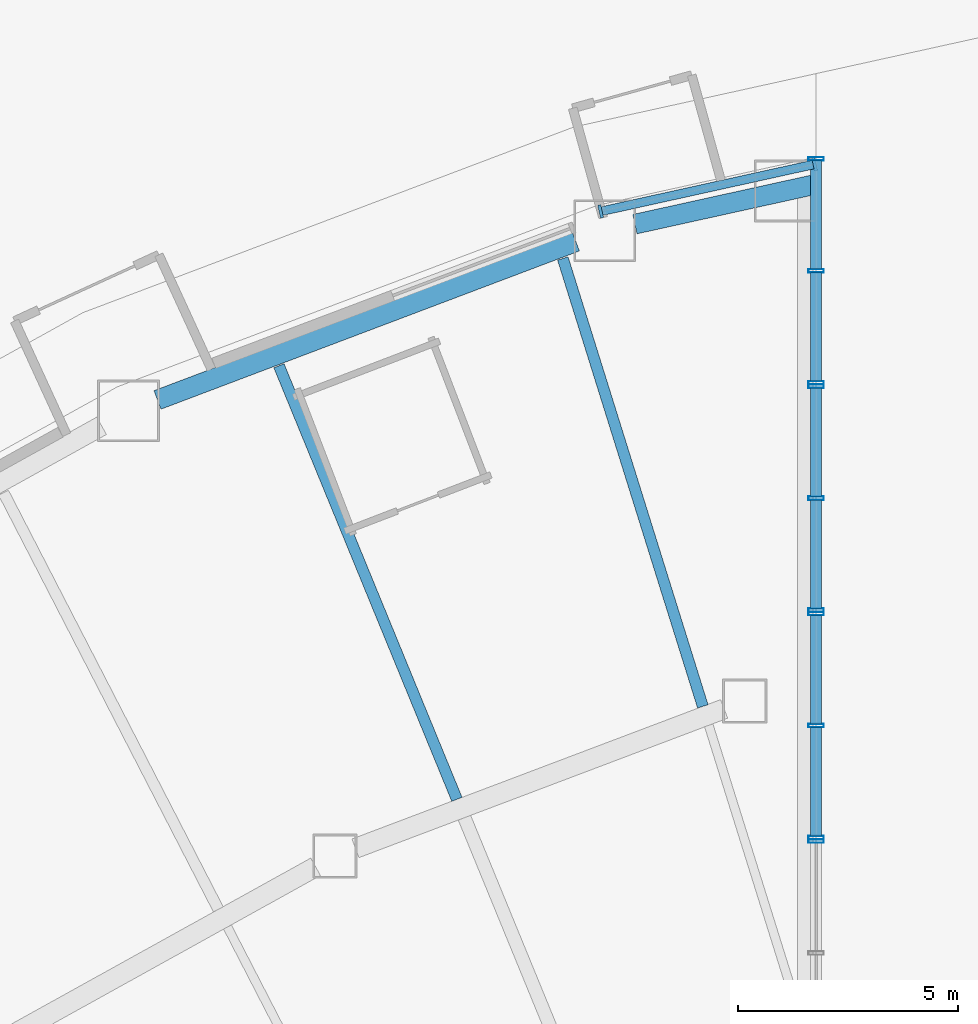
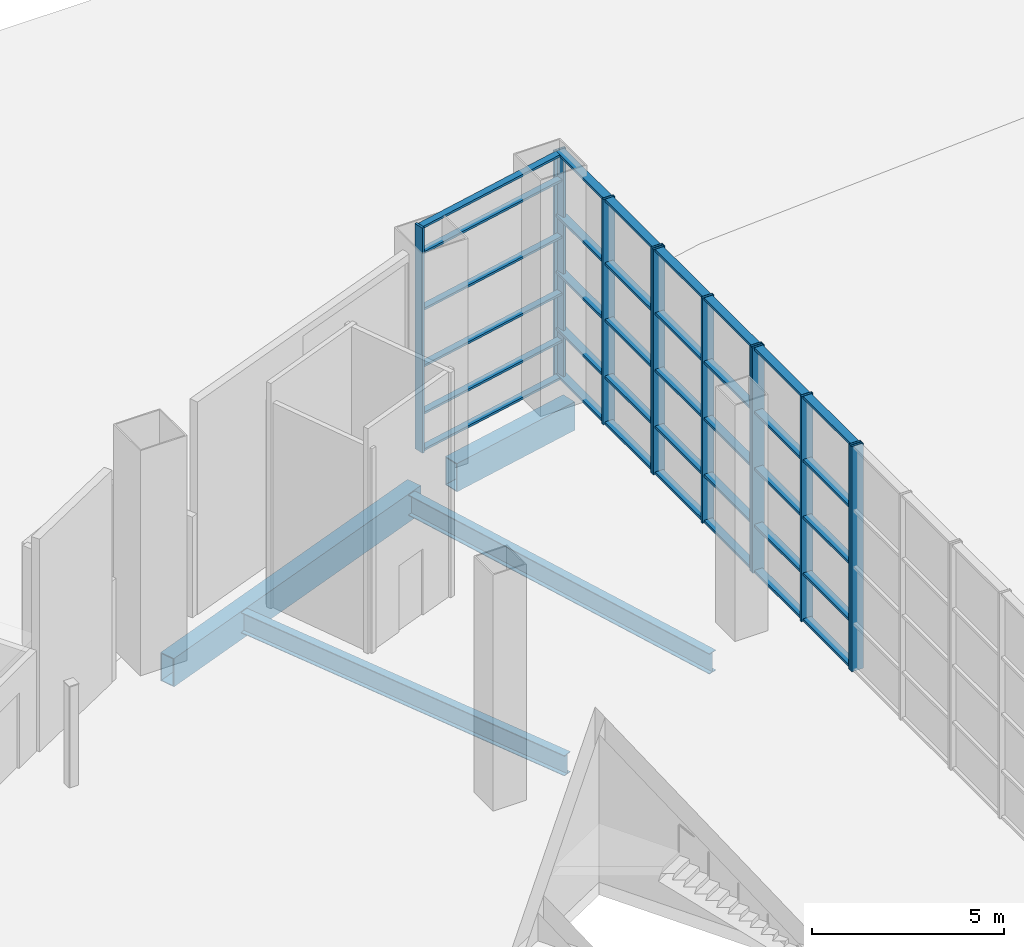
# One storey, part 18 of 45: 48 members, 4 beams, 5 elements without a shape of their own.
"""IFC4 building model written with IfcOpenShell, lengths in metres."""

from ifc_helpers import new_model, si_unit, direction, frame, origin, origin_2d, place, context, subcontext, project, spatial, rectangle, hollow_rectangle, i_section, extrude, material, layer, layer_set, material_profile, profile_set, type_object, element, aggregate, save


model = new_model("IFC4")

# Units and contexts
model_context = context("Model", 3, precision=1e-05, world=origin(), true_north=direction((0.0, 1.0)))
body_context = subcontext(model_context, "Body", "Model", "MODEL_VIEW")
ifc_project = project(units=[si_unit("LENGTHUNIT", "METRE"), si_unit("AREAUNIT", "SQUARE_METRE"), si_unit("VOLUMEUNIT", "CUBIC_METRE"), si_unit("PLANEANGLEUNIT", "RADIAN"), si_unit("MASSUNIT", "GRAM", prefix="KILO")], contexts=[model_context])

# Site, building, storey
site_placement = place(None, origin())
site = spatial("IfcSite", under=ifc_project, at=site_placement, CompositionType="ELEMENT")
building_placement = place(site_placement, origin())
building = spatial("IfcBuilding", under=site, at=building_placement, Name="Tuul Gate Civic Tower", CompositionType="ELEMENT")
storey_placement = place(building_placement, origin())
storey = spatial("IfcBuildingStorey", under=building, at=storey_placement, Name="Level 00", CompositionType="ELEMENT", Elevation=0.0)

# Curtain wall, members
ifc_material_1 = material(Name="Aluminium", Category="aluminium")
ifc_layer_1 = layer(ifc_material_1, 0.199951171875)
ifc_layer_set_1 = layer_set([ifc_layer_1], Name="Aluminium")
curtain_wall_type_1 = type_object("IfcCurtainWallType", Name="Curtain wall CW1", PredefinedType="NOTDEFINED", material=ifc_layer_set_1)
curtain_wall_1_placement = place(storey_placement, origin())
curtain_wall_1 = element("IfcCurtainWall", 1, at=curtain_wall_1_placement, inside=storey, type_object=curtain_wall_type_1, Name="Curtain wall CW1", PredefinedType="NOTDEFINED")
ifc_material_2 = material(Name="Aluminium", Category="aluminium")
ifc_material_profile_1 = material_profile(ifc_material_2, rectangle(XDim=0.300048828125, YDim=0.070068359375, at=origin_2d()), Name="CW1 mullion")
ifc_profile_set_1 = profile_set([ifc_material_profile_1], Name="Aluminium")
member_type_1 = type_object("IfcMemberType", Name="CW1 mullion", PredefinedType="MULLION", material=ifc_profile_set_1)
member_1_placement = place(storey_placement, frame((-18.0341796875, 18.10400390625, 0.0), z_axis=(0.0, 0.0, 1.0), x_axis=(0.215206763662, -0.976568507005, 0.0)))
member_1 = element("IfcMember", 2, at=member_1_placement, type_object=member_type_1, Name="Mullion", PredefinedType="MULLION", context=body_context, shape_type="SweptSolid", body=[
    extrude(rectangle(XDim=0.300048828125, YDim=0.070068359375, at=origin_2d()), origin(), (0.0, 0.0, 1.0), 7.14990234375),
])
member_2_placement = place(storey_placement, frame((-22.88671875, 17.034423828125, 0.0), z_axis=(0.0, 0.0, 1.0), x_axis=(0.215206763662, -0.976568507005, 0.0)))
member_2 = element("IfcMember", 3, at=member_2_placement, type_object=member_type_1, Name="Mullion", PredefinedType="MULLION", context=body_context, shape_type="SweptSolid", body=[
    extrude(rectangle(XDim=0.300048828125, YDim=0.070068359375, at=origin_2d()), origin(), (0.0, 0.0, 1.0), 7.14990234375),
])
ifc_material_3 = material(Name="Aluminium", Category="aluminium")
ifc_material_profile_2 = material_profile(ifc_material_3, rectangle(XDim=0.199951171875, YDim=0.070068359375, at=origin_2d()), Name="CW1 transom")
ifc_profile_set_2 = profile_set([ifc_material_profile_2], Name="Aluminium")
member_type_2 = type_object("IfcMemberType", Name="CW1 transom", PredefinedType="USERDEFINED", material=ifc_profile_set_2)
member_3_placement = place(storey_placement, frame((-18.068359375, 18.096435546875, 0.034912109375), z_axis=(-0.976561989742, -0.215236335665, 0.0), x_axis=(0.215236335665, -0.976561989742, 0.0)))
member_3 = element("IfcMember", 4, at=member_3_placement, type_object=member_type_2, Name="Transom", ObjectType="TRANSOM", PredefinedType="USERDEFINED", context=body_context, shape_type="SweptSolid", body=[
    extrude(rectangle(XDim=0.199951171875, YDim=0.070068359375, at=origin_2d()), origin(), (0.0, 0.0, 1.0), 4.89892578125),
])
member_4_placement = place(storey_placement, frame((-18.068359375, 18.096435546875, 1.199951171875), z_axis=(-0.976561989742, -0.215236335665, 0.0), x_axis=(0.215236335665, -0.976561989742, 0.0)))
member_4 = element("IfcMember", 5, at=member_4_placement, type_object=member_type_2, Name="Transom", ObjectType="TRANSOM", PredefinedType="USERDEFINED", context=body_context, shape_type="SweptSolid", body=[
    extrude(rectangle(XDim=0.199951171875, YDim=0.070068359375, at=origin_2d()), origin(), (0.0, 0.0, 1.0), 4.89892578125),
])
member_5_placement = place(storey_placement, frame((-18.068359375, 18.096435546875, 2.699951171875), z_axis=(-0.976561989742, -0.215236335665, 0.0), x_axis=(0.215236335665, -0.976561989742, 0.0)))
member_5 = element("IfcMember", 6, at=member_5_placement, type_object=member_type_2, Name="Transom", ObjectType="TRANSOM", PredefinedType="USERDEFINED", context=body_context, shape_type="SweptSolid", body=[
    extrude(rectangle(XDim=0.199951171875, YDim=0.070068359375, at=origin_2d()), origin(), (0.0, 0.0, 1.0), 4.89892578125),
])
member_6_placement = place(storey_placement, frame((-18.068359375, 18.096435546875, 4.5), z_axis=(-0.976561989742, -0.215236335665, 0.0), x_axis=(0.215236335665, -0.976561989742, 0.0)))
member_6 = element("IfcMember", 7, at=member_6_placement, type_object=member_type_2, Name="Transom", ObjectType="TRANSOM", PredefinedType="USERDEFINED", context=body_context, shape_type="SweptSolid", body=[
    extrude(rectangle(XDim=0.199951171875, YDim=0.070068359375, at=origin_2d()), origin(), (0.0, 0.0, 1.0), 4.89892578125),
])
member_7_placement = place(storey_placement, frame((-18.068359375, 18.096435546875, 6.300048828125), z_axis=(-0.976561989742, -0.215236335665, 0.0), x_axis=(0.215236335665, -0.976561989742, 0.0)))
member_7 = element("IfcMember", 8, at=member_7_placement, type_object=member_type_2, Name="Transom", ObjectType="TRANSOM", PredefinedType="USERDEFINED", context=body_context, shape_type="SweptSolid", body=[
    extrude(rectangle(XDim=0.199951171875, YDim=0.070068359375, at=origin_2d()), origin(), (0.0, 0.0, 1.0), 4.89892578125),
])
member_8_placement = place(storey_placement, frame((-18.068359375, 18.096435546875, 7.114990234375), z_axis=(-0.976561989742, -0.215236335665, 0.0), x_axis=(0.215236335665, -0.976561989742, 0.0)))
member_8 = element("IfcMember", 9, at=member_8_placement, type_object=member_type_2, Name="Transom", ObjectType="TRANSOM", PredefinedType="USERDEFINED", context=body_context, shape_type="SweptSolid", body=[
    extrude(rectangle(XDim=0.199951171875, YDim=0.070068359375, at=origin_2d()), origin(), (0.0, 0.0, 1.0), 4.89892578125),
])
aggregate(curtain_wall_1, [member_1, member_2, member_3, member_4, member_5, member_6, member_7, member_8])

# Curtain wall, member
ifc_material_4 = material(Name="Stainless steel", Category="steel")
ifc_layer_2 = layer(ifc_material_4, 0.199951171875)
ifc_layer_set_2 = layer_set([ifc_layer_2], Name="Stainless steel")
curtain_wall_type_2 = type_object("IfcCurtainWallType", Name="Curtain wall CW2", PredefinedType="NOTDEFINED", material=ifc_layer_set_2)
curtain_wall_2_placement = place(storey_placement, origin())
curtain_wall_2 = element("IfcCurtainWall", 10, at=curtain_wall_2_placement, inside=storey, type_object=curtain_wall_type_2, Name="Curtain wall CW2", PredefinedType="NOTDEFINED")
ifc_material_5 = material(Name="Stainless steel", Category="steel")
ifc_material_profile_3 = material_profile(ifc_material_5, hollow_rectangle(XDim=0.35009765625, YDim=0.080078125, WallThickness=0.006103515625, at=origin_2d()), Name="CW2 mullion")
ifc_profile_set_3 = profile_set([ifc_material_profile_3], Name="Stainless steel")
member_type_3 = type_object("IfcMemberType", Name="CW2 mullion", PredefinedType="MULLION", material=ifc_profile_set_3)
member_9_placement = place(storey_placement, frame((-18.0, 2.753173828125, 0.0), z_axis=(0.0, 0.0, 1.0), x_axis=(-1.0, 0.0, 0.0)))
member_9 = element("IfcMember", 11, at=member_9_placement, type_object=member_type_3, Name="Mullion", PredefinedType="MULLION", context=body_context, shape_type="SweptSolid", body=[
    extrude(hollow_rectangle(XDim=0.35009765625, YDim=0.080078125, WallThickness=0.006103515625, at=origin_2d()), origin(), (0.0, 0.0, 1.0), 7.14990234375),
])
aggregate(curtain_wall_2, [member_9])

# Curtain wall, members
curtain_wall_3_placement = place(storey_placement, origin())
curtain_wall_3 = element("IfcCurtainWall", 12, at=curtain_wall_3_placement, inside=storey, type_object=curtain_wall_type_2, Name="Curtain wall CW2", PredefinedType="NOTDEFINED")
member_10_placement = place(storey_placement, frame((-18.0, 2.833251953125, 0.0), z_axis=(0.0, 0.0, 1.0), x_axis=(-1.0, 0.0, 0.0)))
member_10 = element("IfcMember", 13, at=member_10_placement, type_object=member_type_3, Name="Mullion", PredefinedType="MULLION", context=body_context, shape_type="SweptSolid", body=[
    extrude(hollow_rectangle(XDim=0.35009765625, YDim=0.080078125, WallThickness=0.006103515625, at=origin_2d()), origin(), (0.0, 0.0, 1.0), 7.14990234375),
])
member_11_placement = place(storey_placement, frame((-18.0, 5.371826171875, 0.0), z_axis=(0.0, 0.0, 1.0), x_axis=(-1.0, 0.0, 0.0)))
member_11 = element("IfcMember", 14, at=member_11_placement, type_object=member_type_3, Name="Mullion", PredefinedType="MULLION", context=body_context, shape_type="SweptSolid", body=[
    extrude(hollow_rectangle(XDim=0.35009765625, YDim=0.080078125, WallThickness=0.006103515625, at=origin_2d()), origin(), (0.0, 0.0, 1.0), 7.14990234375),
])
member_12_placement = place(storey_placement, frame((-18.0, 7.910400390625, 0.0), z_axis=(0.0, 0.0, 1.0), x_axis=(-1.0, 0.0, 0.0)))
member_12 = element("IfcMember", 15, at=member_12_placement, type_object=member_type_3, Name="Mullion", PredefinedType="MULLION", context=body_context, shape_type="SweptSolid", body=[
    extrude(hollow_rectangle(XDim=0.35009765625, YDim=0.080078125, WallThickness=0.006103515625, at=origin_2d()), origin(), (0.0, 0.0, 1.0), 7.14990234375),
])

curtain_wall_4_placement = place(storey_placement, origin())
curtain_wall_4 = element("IfcCurtainWall", 16, at=curtain_wall_4_placement, inside=storey, type_object=curtain_wall_type_2, Name="Curtain wall CW2", PredefinedType="NOTDEFINED")
member_13_placement = place(storey_placement, frame((-18.0, 7.990478515625, 0.0), z_axis=(0.0, 0.0, 1.0), x_axis=(-1.0, 0.0, 0.0)))
member_13 = element("IfcMember", 17, at=member_13_placement, type_object=member_type_3, Name="Mullion", PredefinedType="MULLION", context=body_context, shape_type="SweptSolid", body=[
    extrude(hollow_rectangle(XDim=0.35009765625, YDim=0.080078125, WallThickness=0.006103515625, at=origin_2d()), origin(), (0.0, 0.0, 1.0), 7.14990234375),
])
member_14_placement = place(storey_placement, frame((-18.0, 10.529052734375, 0.0), z_axis=(0.0, 0.0, 1.0), x_axis=(-1.0, 0.0, 0.0)))
member_14 = element("IfcMember", 18, at=member_14_placement, type_object=member_type_3, Name="Mullion", PredefinedType="MULLION", context=body_context, shape_type="SweptSolid", body=[
    extrude(hollow_rectangle(XDim=0.35009765625, YDim=0.080078125, WallThickness=0.006103515625, at=origin_2d()), origin(), (0.0, 0.0, 1.0), 7.14990234375),
])
member_15_placement = place(storey_placement, frame((-18.0, 13.067626953125, 0.0), z_axis=(0.0, 0.0, 1.0), x_axis=(-1.0, 0.0, 0.0)))
member_15 = element("IfcMember", 19, at=member_15_placement, type_object=member_type_3, Name="Mullion", PredefinedType="MULLION", context=body_context, shape_type="SweptSolid", body=[
    extrude(hollow_rectangle(XDim=0.35009765625, YDim=0.080078125, WallThickness=0.006103515625, at=origin_2d()), origin(), (0.0, 0.0, 1.0), 7.14990234375),
])

curtain_wall_5_placement = place(storey_placement, origin())
curtain_wall_5 = element("IfcCurtainWall", 20, at=curtain_wall_5_placement, inside=storey, type_object=curtain_wall_type_2, Name="Curtain wall CW2", PredefinedType="NOTDEFINED")
member_16_placement = place(storey_placement, frame((-18.0, 13.147705078125, 0.0), z_axis=(0.0, 0.0, 1.0), x_axis=(-1.0, 0.0, 0.0)))
member_16 = element("IfcMember", 21, at=member_16_placement, type_object=member_type_3, Name="Mullion", PredefinedType="MULLION", context=body_context, shape_type="SweptSolid", body=[
    extrude(hollow_rectangle(XDim=0.35009765625, YDim=0.080078125, WallThickness=0.006103515625, at=origin_2d()), origin(), (0.0, 0.0, 1.0), 7.14990234375),
])
member_17_placement = place(storey_placement, frame((-18.0, 15.686279296875, 0.0), z_axis=(0.0, 0.0, 1.0), x_axis=(-1.0, 0.0, 0.0)))
member_17 = element("IfcMember", 22, at=member_17_placement, type_object=member_type_3, Name="Mullion", PredefinedType="MULLION", context=body_context, shape_type="SweptSolid", body=[
    extrude(hollow_rectangle(XDim=0.35009765625, YDim=0.080078125, WallThickness=0.006103515625, at=origin_2d()), origin(), (0.0, 0.0, 1.0), 7.14990234375),
])
member_18_placement = place(storey_placement, frame((-18.0, 18.22509765625, 0.0), z_axis=(0.0, 0.0, 1.0), x_axis=(-1.0, 0.0, 0.0)))
member_18 = element("IfcMember", 23, at=member_18_placement, type_object=member_type_3, Name="Mullion", PredefinedType="MULLION", context=body_context, shape_type="SweptSolid", body=[
    extrude(hollow_rectangle(XDim=0.35009765625, YDim=0.080078125, WallThickness=0.006103515625, at=origin_2d()), origin(), (0.0, 0.0, 1.0), 7.14990234375),
])

# Member
ifc_material_6 = material(Name="Stainless steel", Category="steel")
ifc_material_profile_4 = material_profile(ifc_material_6, hollow_rectangle(XDim=0.25, YDim=0.080078125, WallThickness=0.006103515625, at=origin_2d()), Name="CW2 transom")
ifc_profile_set_4 = profile_set([ifc_material_profile_4], Name="Stainless steel")
member_type_4 = type_object("IfcMemberType", Name="CW2 transom", PredefinedType="USERDEFINED", material=ifc_profile_set_4)
member_19_placement = place(storey_placement, frame((-18.0, 2.873046875, 0.0400390625), z_axis=(0.0, 1.0, 0.0), x_axis=(-1.0, 0.0, 0.0)))
member_19 = element("IfcMember", 24, at=member_19_placement, type_object=member_type_4, Name="Transom", ObjectType="TRANSOM", PredefinedType="USERDEFINED", context=body_context, shape_type="SweptSolid", body=[
    extrude(hollow_rectangle(XDim=0.25, YDim=0.080078125, WallThickness=0.006103515625, at=origin_2d()), origin(), (0.0, 0.0, 1.0), 2.458740234375),
])

member_20_placement = place(storey_placement, frame((-18.0, 2.873046875, 1.5), z_axis=(0.0, 1.0, 0.0), x_axis=(-1.0, 0.0, 0.0)))
member_20 = element("IfcMember", 25, at=member_20_placement, type_object=member_type_4, Name="Transom", ObjectType="TRANSOM", PredefinedType="USERDEFINED", context=body_context, shape_type="SweptSolid", body=[
    extrude(hollow_rectangle(XDim=0.25, YDim=0.080078125, WallThickness=0.006103515625, at=origin_2d()), origin(), (0.0, 0.0, 1.0), 2.458740234375),
])

member_21_placement = place(storey_placement, frame((-18.0, 2.873046875, 3.300048828125), z_axis=(0.0, 1.0, 0.0), x_axis=(-1.0, 0.0, 0.0)))
member_21 = element("IfcMember", 26, at=member_21_placement, type_object=member_type_4, Name="Transom", ObjectType="TRANSOM", PredefinedType="USERDEFINED", context=body_context, shape_type="SweptSolid", body=[
    extrude(hollow_rectangle(XDim=0.25, YDim=0.080078125, WallThickness=0.006103515625, at=origin_2d()), origin(), (0.0, 0.0, 1.0), 2.458740234375),
])

member_22_placement = place(storey_placement, frame((-18.0, 2.873046875, 5.10009765625), z_axis=(0.0, 1.0, 0.0), x_axis=(-1.0, 0.0, 0.0)))
member_22 = element("IfcMember", 27, at=member_22_placement, type_object=member_type_4, Name="Transom", ObjectType="TRANSOM", PredefinedType="USERDEFINED", context=body_context, shape_type="SweptSolid", body=[
    extrude(hollow_rectangle(XDim=0.25, YDim=0.080078125, WallThickness=0.006103515625, at=origin_2d()), origin(), (0.0, 0.0, 1.0), 2.458740234375),
])

member_23_placement = place(storey_placement, frame((-18.0, 2.873046875, 7.110107421875), z_axis=(0.0, 1.0, 0.0), x_axis=(-1.0, 0.0, 0.0)))
member_23 = element("IfcMember", 28, at=member_23_placement, type_object=member_type_4, Name="Transom", ObjectType="TRANSOM", PredefinedType="USERDEFINED", context=body_context, shape_type="SweptSolid", body=[
    extrude(hollow_rectangle(XDim=0.25, YDim=0.080078125, WallThickness=0.006103515625, at=origin_2d()), origin(), (0.0, 0.0, 1.0), 2.458740234375),
])

member_24_placement = place(storey_placement, frame((-18.0, 5.411865234375, 0.0400390625), z_axis=(0.0, 1.0, 0.0), x_axis=(-1.0, 0.0, 0.0)))
member_24 = element("IfcMember", 29, at=member_24_placement, type_object=member_type_4, Name="Transom", ObjectType="TRANSOM", PredefinedType="USERDEFINED", context=body_context, shape_type="SweptSolid", body=[
    extrude(hollow_rectangle(XDim=0.25, YDim=0.080078125, WallThickness=0.006103515625, at=origin_2d()), origin(), (0.0, 0.0, 1.0), 2.45849609375),
])

member_25_placement = place(storey_placement, frame((-18.0, 5.411865234375, 1.5), z_axis=(0.0, 1.0, 0.0), x_axis=(-1.0, 0.0, 0.0)))
member_25 = element("IfcMember", 30, at=member_25_placement, type_object=member_type_4, Name="Transom", ObjectType="TRANSOM", PredefinedType="USERDEFINED", context=body_context, shape_type="SweptSolid", body=[
    extrude(hollow_rectangle(XDim=0.25, YDim=0.080078125, WallThickness=0.006103515625, at=origin_2d()), origin(), (0.0, 0.0, 1.0), 2.45849609375),
])

member_26_placement = place(storey_placement, frame((-18.0, 5.411865234375, 3.300048828125), z_axis=(0.0, 1.0, 0.0), x_axis=(-1.0, 0.0, 0.0)))
member_26 = element("IfcMember", 31, at=member_26_placement, type_object=member_type_4, Name="Transom", ObjectType="TRANSOM", PredefinedType="USERDEFINED", context=body_context, shape_type="SweptSolid", body=[
    extrude(hollow_rectangle(XDim=0.25, YDim=0.080078125, WallThickness=0.006103515625, at=origin_2d()), origin(), (0.0, 0.0, 1.0), 2.45849609375),
])

member_27_placement = place(storey_placement, frame((-18.0, 5.411865234375, 5.10009765625), z_axis=(0.0, 1.0, 0.0), x_axis=(-1.0, 0.0, 0.0)))
member_27 = element("IfcMember", 32, at=member_27_placement, type_object=member_type_4, Name="Transom", ObjectType="TRANSOM", PredefinedType="USERDEFINED", context=body_context, shape_type="SweptSolid", body=[
    extrude(hollow_rectangle(XDim=0.25, YDim=0.080078125, WallThickness=0.006103515625, at=origin_2d()), origin(), (0.0, 0.0, 1.0), 2.45849609375),
])

member_28_placement = place(storey_placement, frame((-18.0, 5.411865234375, 7.110107421875), z_axis=(0.0, 1.0, 0.0), x_axis=(-1.0, 0.0, 0.0)))
member_28 = element("IfcMember", 33, at=member_28_placement, type_object=member_type_4, Name="Transom", ObjectType="TRANSOM", PredefinedType="USERDEFINED", context=body_context, shape_type="SweptSolid", body=[
    extrude(hollow_rectangle(XDim=0.25, YDim=0.080078125, WallThickness=0.006103515625, at=origin_2d()), origin(), (0.0, 0.0, 1.0), 2.45849609375),
])

aggregate(curtain_wall_3, [member_10, member_11, member_12, member_19, member_20, member_21, member_22, member_23, member_24, member_25, member_26, member_27, member_28])

member_29_placement = place(storey_placement, frame((-18.0, 8.030517578125, 0.0400390625), z_axis=(0.0, 1.0, 0.0), x_axis=(-1.0, 0.0, 0.0)))
member_29 = element("IfcMember", 34, at=member_29_placement, type_object=member_type_4, Name="Transom", ObjectType="TRANSOM", PredefinedType="USERDEFINED", context=body_context, shape_type="SweptSolid", body=[
    extrude(hollow_rectangle(XDim=0.25, YDim=0.080078125, WallThickness=0.006103515625, at=origin_2d()), origin(), (0.0, 0.0, 1.0), 2.45849609375),
])

member_30_placement = place(storey_placement, frame((-18.0, 8.030517578125, 1.5), z_axis=(0.0, 1.0, 0.0), x_axis=(-1.0, 0.0, 0.0)))
member_30 = element("IfcMember", 35, at=member_30_placement, type_object=member_type_4, Name="Transom", ObjectType="TRANSOM", PredefinedType="USERDEFINED", context=body_context, shape_type="SweptSolid", body=[
    extrude(hollow_rectangle(XDim=0.25, YDim=0.080078125, WallThickness=0.006103515625, at=origin_2d()), origin(), (0.0, 0.0, 1.0), 2.45849609375),
])

member_31_placement = place(storey_placement, frame((-18.0, 8.030517578125, 3.300048828125), z_axis=(0.0, 1.0, 0.0), x_axis=(-1.0, 0.0, 0.0)))
member_31 = element("IfcMember", 36, at=member_31_placement, type_object=member_type_4, Name="Transom", ObjectType="TRANSOM", PredefinedType="USERDEFINED", context=body_context, shape_type="SweptSolid", body=[
    extrude(hollow_rectangle(XDim=0.25, YDim=0.080078125, WallThickness=0.006103515625, at=origin_2d()), origin(), (0.0, 0.0, 1.0), 2.45849609375),
])

member_32_placement = place(storey_placement, frame((-18.0, 8.030517578125, 5.10009765625), z_axis=(0.0, 1.0, 0.0), x_axis=(-1.0, 0.0, 0.0)))
member_32 = element("IfcMember", 37, at=member_32_placement, type_object=member_type_4, Name="Transom", ObjectType="TRANSOM", PredefinedType="USERDEFINED", context=body_context, shape_type="SweptSolid", body=[
    extrude(hollow_rectangle(XDim=0.25, YDim=0.080078125, WallThickness=0.006103515625, at=origin_2d()), origin(), (0.0, 0.0, 1.0), 2.45849609375),
])

member_33_placement = place(storey_placement, frame((-18.0, 8.030517578125, 7.110107421875), z_axis=(0.0, 1.0, 0.0), x_axis=(-1.0, 0.0, 0.0)))
member_33 = element("IfcMember", 38, at=member_33_placement, type_object=member_type_4, Name="Transom", ObjectType="TRANSOM", PredefinedType="USERDEFINED", context=body_context, shape_type="SweptSolid", body=[
    extrude(hollow_rectangle(XDim=0.25, YDim=0.080078125, WallThickness=0.006103515625, at=origin_2d()), origin(), (0.0, 0.0, 1.0), 2.45849609375),
])

member_34_placement = place(storey_placement, frame((-18.0, 10.569091796875, 0.0400390625), z_axis=(0.0, 1.0, 0.0), x_axis=(-1.0, 0.0, 0.0)))
member_34 = element("IfcMember", 39, at=member_34_placement, type_object=member_type_4, Name="Transom", ObjectType="TRANSOM", PredefinedType="USERDEFINED", context=body_context, shape_type="SweptSolid", body=[
    extrude(hollow_rectangle(XDim=0.25, YDim=0.080078125, WallThickness=0.006103515625, at=origin_2d()), origin(), (0.0, 0.0, 1.0), 2.458740234375),
])

member_35_placement = place(storey_placement, frame((-18.0, 10.569091796875, 1.5), z_axis=(0.0, 1.0, 0.0), x_axis=(-1.0, 0.0, 0.0)))
member_35 = element("IfcMember", 40, at=member_35_placement, type_object=member_type_4, Name="Transom", ObjectType="TRANSOM", PredefinedType="USERDEFINED", context=body_context, shape_type="SweptSolid", body=[
    extrude(hollow_rectangle(XDim=0.25, YDim=0.080078125, WallThickness=0.006103515625, at=origin_2d()), origin(), (0.0, 0.0, 1.0), 2.458740234375),
])

member_36_placement = place(storey_placement, frame((-18.0, 10.569091796875, 3.300048828125), z_axis=(0.0, 1.0, 0.0), x_axis=(-1.0, 0.0, 0.0)))
member_36 = element("IfcMember", 41, at=member_36_placement, type_object=member_type_4, Name="Transom", ObjectType="TRANSOM", PredefinedType="USERDEFINED", context=body_context, shape_type="SweptSolid", body=[
    extrude(hollow_rectangle(XDim=0.25, YDim=0.080078125, WallThickness=0.006103515625, at=origin_2d()), origin(), (0.0, 0.0, 1.0), 2.458740234375),
])

member_37_placement = place(storey_placement, frame((-18.0, 10.569091796875, 5.10009765625), z_axis=(0.0, 1.0, 0.0), x_axis=(-1.0, 0.0, 0.0)))
member_37 = element("IfcMember", 42, at=member_37_placement, type_object=member_type_4, Name="Transom", ObjectType="TRANSOM", PredefinedType="USERDEFINED", context=body_context, shape_type="SweptSolid", body=[
    extrude(hollow_rectangle(XDim=0.25, YDim=0.080078125, WallThickness=0.006103515625, at=origin_2d()), origin(), (0.0, 0.0, 1.0), 2.458740234375),
])

member_38_placement = place(storey_placement, frame((-18.0, 10.569091796875, 7.110107421875), z_axis=(0.0, 1.0, 0.0), x_axis=(-1.0, 0.0, 0.0)))
member_38 = element("IfcMember", 43, at=member_38_placement, type_object=member_type_4, Name="Transom", ObjectType="TRANSOM", PredefinedType="USERDEFINED", context=body_context, shape_type="SweptSolid", body=[
    extrude(hollow_rectangle(XDim=0.25, YDim=0.080078125, WallThickness=0.006103515625, at=origin_2d()), origin(), (0.0, 0.0, 1.0), 2.458740234375),
])

aggregate(curtain_wall_4, [member_13, member_14, member_15, member_29, member_30, member_31, member_32, member_33, member_34, member_35, member_36, member_37, member_38])

member_39_placement = place(storey_placement, frame((-18.0, 13.187744140625, 0.0400390625), z_axis=(0.0, 1.0, 0.0), x_axis=(-1.0, 0.0, 0.0)))
member_39 = element("IfcMember", 44, at=member_39_placement, type_object=member_type_4, Name="Transom", ObjectType="TRANSOM", PredefinedType="USERDEFINED", context=body_context, shape_type="SweptSolid", body=[
    extrude(hollow_rectangle(XDim=0.25, YDim=0.080078125, WallThickness=0.006103515625, at=origin_2d()), origin(), (0.0, 0.0, 1.0), 2.45849609375),
])

member_40_placement = place(storey_placement, frame((-18.0, 13.187744140625, 1.5), z_axis=(0.0, 1.0, 0.0), x_axis=(-1.0, 0.0, 0.0)))
member_40 = element("IfcMember", 45, at=member_40_placement, type_object=member_type_4, Name="Transom", ObjectType="TRANSOM", PredefinedType="USERDEFINED", context=body_context, shape_type="SweptSolid", body=[
    extrude(hollow_rectangle(XDim=0.25, YDim=0.080078125, WallThickness=0.006103515625, at=origin_2d()), origin(), (0.0, 0.0, 1.0), 2.45849609375),
])

member_41_placement = place(storey_placement, frame((-18.0, 13.187744140625, 3.300048828125), z_axis=(0.0, 1.0, 0.0), x_axis=(-1.0, 0.0, 0.0)))
member_41 = element("IfcMember", 46, at=member_41_placement, type_object=member_type_4, Name="Transom", ObjectType="TRANSOM", PredefinedType="USERDEFINED", context=body_context, shape_type="SweptSolid", body=[
    extrude(hollow_rectangle(XDim=0.25, YDim=0.080078125, WallThickness=0.006103515625, at=origin_2d()), origin(), (0.0, 0.0, 1.0), 2.45849609375),
])

member_42_placement = place(storey_placement, frame((-18.0, 13.187744140625, 5.10009765625), z_axis=(0.0, 1.0, 0.0), x_axis=(-1.0, 0.0, 0.0)))
member_42 = element("IfcMember", 47, at=member_42_placement, type_object=member_type_4, Name="Transom", ObjectType="TRANSOM", PredefinedType="USERDEFINED", context=body_context, shape_type="SweptSolid", body=[
    extrude(hollow_rectangle(XDim=0.25, YDim=0.080078125, WallThickness=0.006103515625, at=origin_2d()), origin(), (0.0, 0.0, 1.0), 2.45849609375),
])

member_43_placement = place(storey_placement, frame((-18.0, 13.187744140625, 7.110107421875), z_axis=(0.0, 1.0, 0.0), x_axis=(-1.0, 0.0, 0.0)))
member_43 = element("IfcMember", 48, at=member_43_placement, type_object=member_type_4, Name="Transom", ObjectType="TRANSOM", PredefinedType="USERDEFINED", context=body_context, shape_type="SweptSolid", body=[
    extrude(hollow_rectangle(XDim=0.25, YDim=0.080078125, WallThickness=0.006103515625, at=origin_2d()), origin(), (0.0, 0.0, 1.0), 2.45849609375),
])

member_44_placement = place(storey_placement, frame((-18.0, 15.726318359375, 0.0400390625), z_axis=(0.0, 1.0, 0.0), x_axis=(-1.0, 0.0, 0.0)))
member_44 = element("IfcMember", 49, at=member_44_placement, type_object=member_type_4, Name="Transom", ObjectType="TRANSOM", PredefinedType="USERDEFINED", context=body_context, shape_type="SweptSolid", body=[
    extrude(hollow_rectangle(XDim=0.25, YDim=0.080078125, WallThickness=0.006103515625, at=origin_2d()), origin(), (0.0, 0.0, 1.0), 2.458740234375),
])

member_45_placement = place(storey_placement, frame((-18.0, 15.726318359375, 1.5), z_axis=(0.0, 1.0, 0.0), x_axis=(-1.0, 0.0, 0.0)))
member_45 = element("IfcMember", 50, at=member_45_placement, type_object=member_type_4, Name="Transom", ObjectType="TRANSOM", PredefinedType="USERDEFINED", context=body_context, shape_type="SweptSolid", body=[
    extrude(hollow_rectangle(XDim=0.25, YDim=0.080078125, WallThickness=0.006103515625, at=origin_2d()), origin(), (0.0, 0.0, 1.0), 2.458740234375),
])

member_46_placement = place(storey_placement, frame((-18.0, 15.726318359375, 3.300048828125), z_axis=(0.0, 1.0, 0.0), x_axis=(-1.0, 0.0, 0.0)))
member_46 = element("IfcMember", 51, at=member_46_placement, type_object=member_type_4, Name="Transom", ObjectType="TRANSOM", PredefinedType="USERDEFINED", context=body_context, shape_type="SweptSolid", body=[
    extrude(hollow_rectangle(XDim=0.25, YDim=0.080078125, WallThickness=0.006103515625, at=origin_2d()), origin(), (0.0, 0.0, 1.0), 2.458740234375),
])

member_47_placement = place(storey_placement, frame((-18.0, 15.726318359375, 5.10009765625), z_axis=(0.0, 1.0, 0.0), x_axis=(-1.0, 0.0, 0.0)))
member_47 = element("IfcMember", 52, at=member_47_placement, type_object=member_type_4, Name="Transom", ObjectType="TRANSOM", PredefinedType="USERDEFINED", context=body_context, shape_type="SweptSolid", body=[
    extrude(hollow_rectangle(XDim=0.25, YDim=0.080078125, WallThickness=0.006103515625, at=origin_2d()), origin(), (0.0, 0.0, 1.0), 2.458740234375),
])

member_48_placement = place(storey_placement, frame((-18.0, 15.726318359375, 7.110107421875), z_axis=(0.0, 1.0, 0.0), x_axis=(-1.0, 0.0, 0.0)))
member_48 = element("IfcMember", 53, at=member_48_placement, type_object=member_type_4, Name="Transom", ObjectType="TRANSOM", PredefinedType="USERDEFINED", context=body_context, shape_type="SweptSolid", body=[
    extrude(hollow_rectangle(XDim=0.25, YDim=0.080078125, WallThickness=0.006103515625, at=origin_2d()), origin(), (0.0, 0.0, 1.0), 2.458740234375),
])

aggregate(curtain_wall_5, [member_16, member_17, member_18, member_39, member_40, member_41, member_42, member_43, member_44, member_45, member_46, member_47, member_48])

# Beams
ifc_material_7 = material(Name="Steel S355", Category="steel")
ifc_material_profile_5 = material_profile(ifc_material_7, i_section(OverallWidth=0.25, OverallDepth=0.64990234375, WebThickness=0.011962890625, FlangeThickness=0.02001953125, at=origin_2d()), Name="PG650x250x12x20")
ifc_profile_set_5 = profile_set([ifc_material_profile_5], Name="Steel S355")
beam_type_1 = type_object("IfcBeamType", Name="STR-FLOOR BEAM-PG650x250x12x20", PredefinedType="BEAM", material=ifc_profile_set_5)
beam_1_placement = place(storey_placement, frame((-20.569091796875, 5.808837890625, -0.72509765625), z_axis=(-0.298314175954, 0.954467732522, 0.0), x_axis=(-0.954467732522, -0.298314175954, 0.0)))
element("IfcBeam", 54, at=beam_1_placement, inside=storey, type_object=beam_type_1, Name="Floor beam", PredefinedType="BEAM", context=body_context, shape_type="SweptSolid", body=[
    extrude(i_section(OverallWidth=0.25, OverallDepth=0.64990234375, WebThickness=0.011962890625, FlangeThickness=0.02001953125, at=origin_2d()), origin(), (0.0, 0.0, 1.0), 10.643310546875),
])
beam_2_placement = place(storey_placement, frame((-26.146240234375, 3.7001953125, -0.72509765625), z_axis=(-0.379723712326, 0.925099941789, 0.0), x_axis=(-0.925099941789, -0.379723712326, 0.0)))
element("IfcBeam", 55, at=beam_2_placement, inside=storey, type_object=beam_type_1, Name="Floor beam", PredefinedType="BEAM", context=body_context, shape_type="SweptSolid", body=[
    extrude(i_section(OverallWidth=0.25, OverallDepth=0.64990234375, WebThickness=0.011962890625, FlangeThickness=0.02001953125, at=origin_2d()), origin(), (0.0, 0.0, 1.0), 10.629150390625),
])
ifc_material_8 = material(Name="Steel S355", Category="steel")
ifc_material_profile_6 = material_profile(ifc_material_8, hollow_rectangle(XDim=0.449951171875, YDim=0.89990234375, WallThickness=0.02490234375, at=origin_2d()), Name="BOX900x450x25")
ifc_profile_set_6 = profile_set([ifc_material_profile_6], Name="Steel S355")
beam_type_2 = type_object("IfcBeamType", Name="STR-SPANDREL BEAM-BOX900x450x25", PredefinedType="BEAM", material=ifc_profile_set_6)
beam_3_placement = place(storey_placement, frame((-18.050048828125, 17.64013671875, -0.85009765625), z_axis=(-0.976558834527, -0.215250650888, 0.0), x_axis=(0.215250650888, -0.976558834527, 0.0)))
element("IfcBeam", 56, at=beam_3_placement, inside=storey, type_object=beam_type_2, Name="Spandrel beam", PredefinedType="BEAM", context=body_context, shape_type="SweptSolid", body=[
    extrude(hollow_rectangle(XDim=0.449951171875, YDim=0.89990234375, WallThickness=0.02490234375, at=origin_2d()), origin(), (0.0, 0.0, 1.0), 4.15576171875),
])
beam_4_placement = place(storey_placement, frame((-23.44677734375, 16.347412109375, -0.85009765625), z_axis=(-0.935355549891, -0.353708913215, 0.0), x_axis=(0.353708913215, -0.935355549891, 0.0)))
element("IfcBeam", 57, at=beam_4_placement, inside=storey, type_object=beam_type_2, Name="Spandrel beam", PredefinedType="BEAM", context=body_context, shape_type="SweptSolid", body=[
    extrude(hollow_rectangle(XDim=0.449951171875, YDim=0.89990234375, WallThickness=0.02490234375, at=origin_2d()), origin(), (0.0, 0.0, 1.0), 10.146484375),
])

save(model, "model.ifc")
